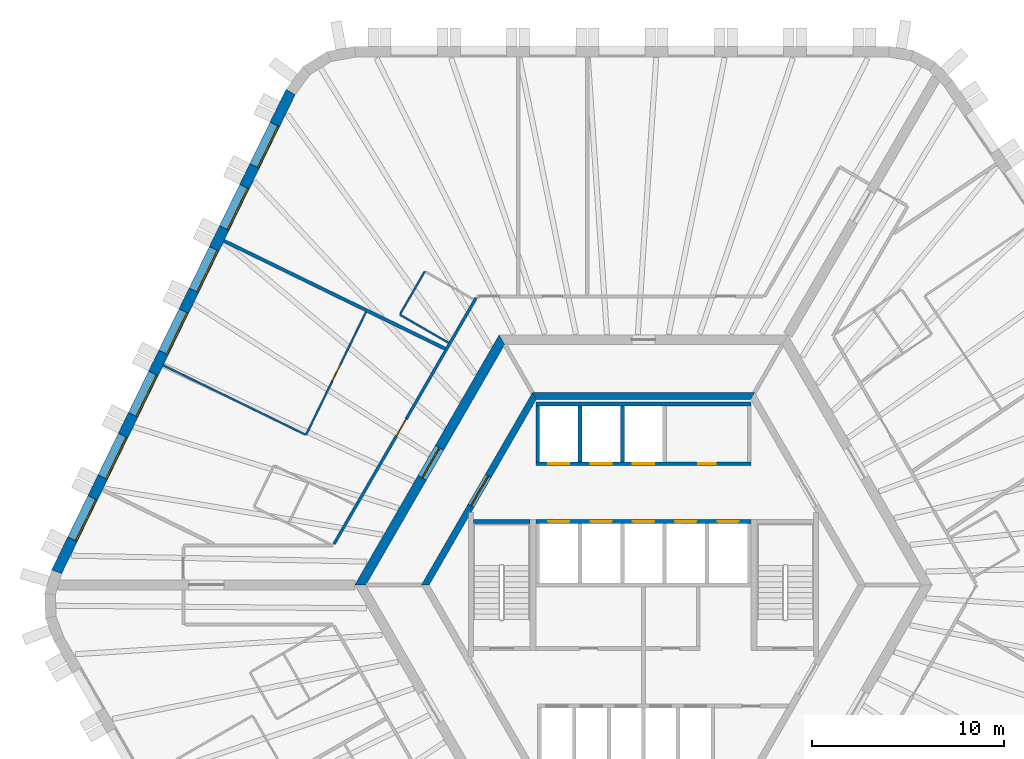
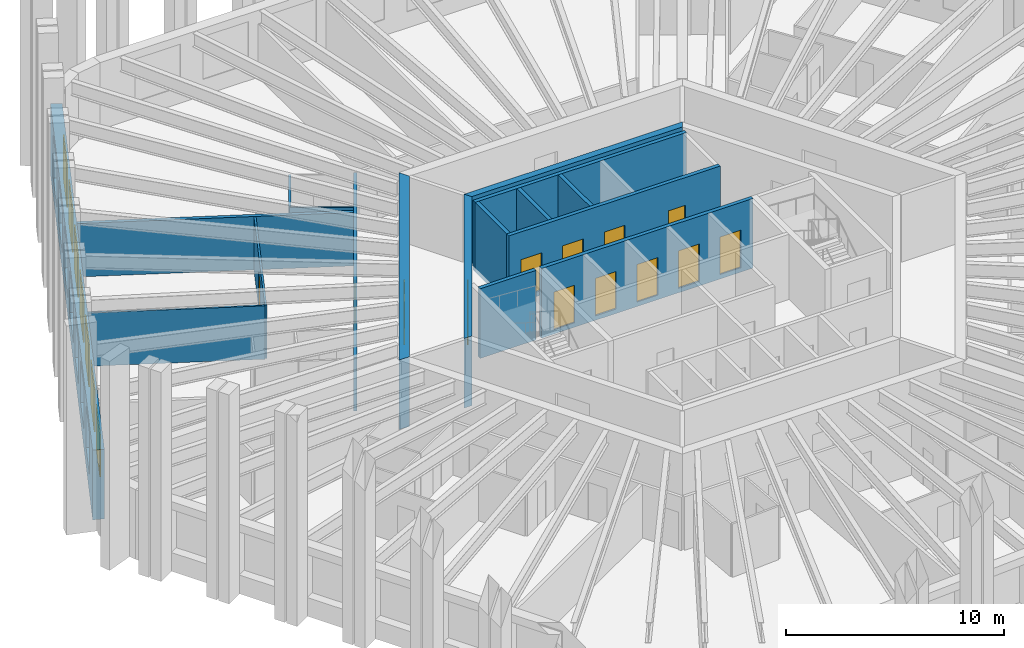
# One storey, part 7 of 10: 17 walls, 13 doors, 7 windows, 20 openings.
"""IFC4 building model written with IfcOpenShell, lengths in metres."""

import ifcopenshell
import ifcopenshell.guid

model = None  # the IFC model being written
_history = None  # IfcOwnerHistory: only IFC2X3 demands one
_inside = {}  # id of a spatial element -> (the spatial element, [elements in it])
_under = {}  # id of a project, library or spatial element -> (it, [spatial elements below it])
_declared = {}  # id of a project -> (the project, [libraries it declares])
_typed = {}  # id of a type object -> (the type object, [elements of that type])
_made_of = {}  # id of a material, layer set ... -> (it, [elements and type objects made of it])


def new_model(schema):
    """Start an empty IFC model of exactly this schema.

    Asked for "IFC4X3", IfcOpenShell would pick the latest addendum, in which some entities
    have other attributes; the version numbers below select the first issue.
    IFC2X3 requires an IfcOwnerHistory on every rooted entity: one is made here for all.
    """
    global model, _history
    if schema == "IFC4X3":
        model = ifcopenshell.file(schema_version=(4, 3, 0, 0))
    else:
        model = ifcopenshell.file(schema=schema)
    _inside.clear()
    _under.clear()
    _declared.clear()
    _typed.clear()
    _made_of.clear()
    _history = None
    if model.schema == "IFC2X3":
        org = make("IfcOrganization", Name="unknown")
        user = make(
            "IfcPersonAndOrganization",
            ThePerson=make("IfcPerson", FamilyName="unknown"),
            TheOrganization=org,
        )
        app = make(
            "IfcApplication",
            ApplicationDeveloper=org,
            Version="unknown",
            ApplicationFullName="unknown",
            ApplicationIdentifier="unknown",
        )
        _history = make(
            "IfcOwnerHistory",
            OwningUser=user,
            OwningApplication=app,
            ChangeAction="ADDED",
            CreationDate=0,
        )
    return model


def make(cls, **values):
    """One entity of the class cls with the attributes given. An attribute that is None is left unset."""
    return model.create_entity(
        cls, **{name: value for name, value in values.items() if value is not None}
    )


def rooted(cls, **values):
    """An entity with a GlobalId (a new one), such as an element, a storey or a relation."""
    return make(cls, GlobalId=ifcopenshell.guid.new(), OwnerHistory=_history, **values)


def si_unit(unit_type, name, prefix=None):
    """IfcSIUnit, for example si_unit("LENGTHUNIT", "METRE", prefix="MILLI")."""
    return make("IfcSIUnit", UnitType=unit_type, Prefix=prefix, Name=name)


def assignment(units):
    """IfcUnitAssignment: the units of a project."""
    return None if units is None else make("IfcUnitAssignment", Units=units)


def point(xyz):
    """IfcCartesianPoint."""
    return None if xyz is None else make("IfcCartesianPoint", Coordinates=xyz)


def direction(xyz):
    """IfcDirection."""
    return None if xyz is None else make("IfcDirection", DirectionRatios=xyz)


def frame(location, z_axis=None, x_axis=None):
    """IfcAxis2Placement3D, a coordinate frame: its origin and axes. An axis left out is left unset."""
    return make(
        "IfcAxis2Placement3D",
        Location=point(location),
        Axis=direction(z_axis),
        RefDirection=direction(x_axis),
    )


def frame_2d(location, x_axis=None):
    """IfcAxis2Placement2D, a coordinate frame in the plane: its origin and x axis."""
    return make(
        "IfcAxis2Placement2D", Location=point(location), RefDirection=direction(x_axis)
    )


def origin():
    """The frame at (0, 0, 0) with its axes left unset."""
    return frame((0.0, 0.0, 0.0))


def place(relative_to, where):
    """IfcLocalPlacement: puts the frame where relative to a parent placement (None: the world)."""
    return make(
        "IfcLocalPlacement", PlacementRelTo=relative_to, RelativePlacement=where
    )


def context(
    kind, dimensions, precision=None, world=None, true_north=None, identifier=None
):
    """IfcGeometricRepresentationContext, for example the 3D "Model" context."""
    return make(
        "IfcGeometricRepresentationContext",
        ContextIdentifier=identifier,
        ContextType=kind,
        CoordinateSpaceDimension=dimensions,
        Precision=precision,
        WorldCoordinateSystem=world,
        TrueNorth=true_north,
    )


def subcontext(parent, identifier, kind, view, scale=None):
    """IfcGeometricRepresentationSubContext, for example "Body" below "Model"."""
    return make(
        "IfcGeometricRepresentationSubContext",
        ContextIdentifier=identifier,
        ContextType=kind,
        ParentContext=parent,
        TargetScale=scale,
        TargetView=view,
    )


def project(units=None, contexts=None):
    """IfcProject with its units and contexts."""
    return rooted(
        "IfcProject",
        Name="project",
        RepresentationContexts=contexts,
        UnitsInContext=assignment(units),
    )


def spatial(cls, under=None, at=None, **own):
    """A site, building, storey or space (cls), placed at a placement, below another one or the project."""
    s = rooted(cls, ObjectPlacement=at, **own)
    if under is not None:
        _under.setdefault(under.id(), (under, []))[1].append(s)
    return s


def polyline(points):
    """IfcPolyline through the points."""
    return make("IfcPolyline", Points=[point(p) for p in points])


def profile(cls, at=None, kind="AREA", **sizes):
    """A parametric profile (cls). Its sizes go by their IFC names, for example OverallWidth=200.0."""
    return make(cls, ProfileType=kind, Position=at, **sizes)


def rectangle(**sizes):
    """IfcRectangleProfileDef."""
    return profile("IfcRectangleProfileDef", **sizes)


def outline(outer, holes=None, kind="AREA"):
    """IfcArbitraryClosedProfileDef: a profile drawn as a closed curve; with holes, ...WithVoids."""
    if holes is None:
        return make("IfcArbitraryClosedProfileDef", ProfileType=kind, OuterCurve=outer)
    return make(
        "IfcArbitraryProfileDefWithVoids",
        ProfileType=kind,
        OuterCurve=outer,
        InnerCurves=holes,
    )


def extrude(swept, where, along, depth):
    """IfcExtrudedAreaSolid: the profile swept, set in the frame where, extruded along a direction by depth."""
    return make(
        "IfcExtrudedAreaSolid",
        SweptArea=swept,
        Position=where,
        ExtrudedDirection=direction(along),
        Depth=depth,
    )


def shape(context_of_items, identifier, shape_type, items):
    """IfcShapeRepresentation: the items that make up one representation, for example the "Body"."""
    return make(
        "IfcShapeRepresentation",
        ContextOfItems=context_of_items,
        RepresentationIdentifier=identifier,
        RepresentationType=shape_type,
        Items=items,
    )


def material(Name=None, Category=None):
    """IfcMaterial."""
    return make("IfcMaterial", Name=Name, Category=Category)


def layer(
    of_material, thickness, ventilated=None, Name=None, Category=None, Priority=None
):
    """IfcMaterialLayer: one layer of a wall or slab, of a material (None: an air gap)."""
    return make(
        "IfcMaterialLayer",
        Material=of_material,
        LayerThickness=thickness,
        IsVentilated=ventilated,
        Name=Name,
        Category=Category,
        Priority=Priority,
    )


def layer_set(layers, Name=None):
    """IfcMaterialLayerSet."""
    return make("IfcMaterialLayerSet", MaterialLayers=layers, LayerSetName=Name)


def made_of(thing, what):
    """Note that an element or type object is made of a material, layer set ...; save() writes the relation."""
    if what is not None:
        _made_of.setdefault(what.id(), (what, []))[1].append(thing)
    return thing


def type_object(cls, material=None, **own):
    """A type object (cls), such as IfcWallType, which elements share."""
    return made_of(rooted(cls, **own), material)


def element(
    cls,
    number,
    at=None,
    inside=None,
    cuts=None,
    type_object=None,
    material=None,
    context=None,
    identifier="Body",
    shape_type=None,
    held_by="IfcProductDefinitionShape",
    body=None,
    shapes=None,
    **own,
):
    """One element of the class cls, such as IfcWall. Its Tag is "e" and its number.

    at: its placement. inside: the storey or other place that contains it. cuts: it is an
    opening in that element (IfcRelVoidsElement). A single representation is given by context,
    identifier, shape_type and body (its items); several are given by shapes. held_by: the class
    of the entity that holds the representations. save() writes the other relations.
    """
    e = rooted(cls, Tag="e%d" % number, ObjectPlacement=at, **own)
    if body is not None:
        shapes = [shape(context, identifier, shape_type, body)]
    if shapes is not None:
        e.Representation = make(held_by, Representations=shapes)
    if inside is not None:
        _inside.setdefault(inside.id(), (inside, []))[1].append(e)
    if cuts is not None:
        rooted(
            "IfcRelVoidsElement", RelatingBuildingElement=cuts, RelatedOpeningElement=e
        )
    if type_object is not None:
        _typed.setdefault(type_object.id(), (type_object, []))[1].append(e)
    return made_of(e, material)


def fill(opening, filler):
    """IfcRelFillsElement: the door or window that sits in an opening."""
    return rooted(
        "IfcRelFillsElement",
        RelatingOpeningElement=opening,
        RelatedBuildingElement=filler,
    )


def aggregate(whole, parts):
    """IfcRelAggregates: a whole, such as a stair, and the parts it consists of."""
    return rooted("IfcRelAggregates", RelatingObject=whole, RelatedObjects=parts)


def save(model, path):
    """Write the relations noted so far, then the file.

    IfcRelAggregates (storeys below a building ...), IfcRelContainedInSpatialStructure (elements
    in a storey), IfcRelDefinesByType, IfcRelAssociatesMaterial and IfcRelDeclares: one each for
    every whole, place, type object, material and project.
    """
    for whole, parts in _under.values():
        aggregate(whole, parts)
    for where, things in _inside.values():
        rooted(
            "IfcRelContainedInSpatialStructure",
            RelatedElements=things,
            RelatingStructure=where,
        )
    for kind, things in _typed.values():
        rooted("IfcRelDefinesByType", RelatedObjects=things, RelatingType=kind)
    for what, things in _made_of.values():
        rooted("IfcRelAssociatesMaterial", RelatedObjects=things, RelatingMaterial=what)
    for by, libraries in _declared.values():
        rooted("IfcRelDeclares", RelatingContext=by, RelatedDefinitions=libraries)
    model.write(path)


model = new_model("IFC4")

# Units and contexts
model_context = context("Model", 3, precision=1e-05, world=origin(), true_north=direction((0.0, 1.0)))
body_context = subcontext(model_context, "Body", "Model", "MODEL_VIEW")
ifc_project = project(units=[si_unit("LENGTHUNIT", "METRE"), si_unit("AREAUNIT", "SQUARE_METRE"), si_unit("VOLUMEUNIT", "CUBIC_METRE"), si_unit("PLANEANGLEUNIT", "RADIAN"), si_unit("MASSUNIT", "GRAM", prefix="KILO")], contexts=[model_context])

# Site, building, storey
site_placement = place(None, origin())
site = spatial("IfcSite", under=ifc_project, at=site_placement, CompositionType="ELEMENT")
building_placement = place(site_placement, origin())
building = spatial("IfcBuilding", under=site, at=building_placement, Name="Tarnside Tower", CompositionType="ELEMENT")
storey_placement = place(building_placement, frame((0.0, 0.0, 164.39990234375)))
storey = spatial("IfcBuildingStorey", under=building, at=storey_placement, Name="L38", CompositionType="ELEMENT", Elevation=164.39990234375)

# Walls
ifc_material_1 = material(Name="Gypsum board partition on steel studs", Category="steel")
ifc_layer_1 = layer(ifc_material_1, 0.10009765625)
ifc_layer_set_1 = layer_set([ifc_layer_1], Name="Bathroom wall 100")
wall_type_1 = type_object("IfcWallType", Name="Bathroom wall 100", PredefinedType="PARTITIONING", material=ifc_layer_set_1)
wall_1_placement = place(storey_placement, frame((-10.137939453125, 12.5908203125, 0.0), z_axis=(0.0, 0.0, 1.0), x_axis=(-0.866025730634, 0.499999433879, 0.0)))
element("IfcWall", 1, at=wall_1_placement, inside=storey, type_object=wall_type_1, Name="Bathroom wall 12047", PredefinedType="PARTITIONING", context=body_context, shape_type="SweptSolid", body=[
    extrude(rectangle(XDim=2.9248046875, YDim=0.10009765625, at=frame_2d((1.46240234375, 0.0))), origin(), (0.0, 0.0, 1.0), 2.98779296875),
])
wall_2_placement = place(storey_placement, frame((-12.64599609375, 14.096435546875, 0.0), z_axis=(0.0, 0.0, 1.0), x_axis=(0.500020783669, 0.866013403995, 0.0)))
element("IfcWall", 2, at=wall_2_placement, inside=storey, type_object=wall_type_1, Name="Bathroom wall 12048", PredefinedType="PARTITIONING", context=body_context, shape_type="SweptSolid", body=[
    extrude(rectangle(XDim=2.55029296875, YDim=0.10009765625, at=frame_2d((1.275146484375, 0.0))), origin(), (0.0, 0.0, 1.0), 2.98779296875),
])

# Wall, opening, door
ifc_material_2 = material(Name="Concrete C50/60", Category="concrete")
ifc_layer_2 = layer(ifc_material_2, 0.35009765625)
ifc_layer_set_2 = layer_set([ifc_layer_2], Name="Core block wall 350 C50/60")
wall_type_2 = type_object("IfcWallType", Name="Core block wall 350 C50/60", PredefinedType="SHEAR", material=ifc_layer_set_2)
wall_3_placement = place(storey_placement, frame((-5.672607421875, 9.824951171875, -0.14990234375), z_axis=(0.0, 0.0, 1.0), x_axis=(-0.499995046907, -0.866028263435, 0.0)))
wall_3 = element("IfcWall", 3, at=wall_3_placement, inside=storey, type_object=wall_type_2, Name="L38 core block wall face 2", PredefinedType="SHEAR", context=body_context, shape_type="SweptSolid", body=[
    extrude(outline(polyline([(-0.10107421875, -0.175048828125), (11.44580078125, -0.175048828125), (11.24365234375, 0.175048828125), (0.10107421875, 0.175048828125), (-0.10107421875, -0.175048828125)])), origin(), (0.0, 0.0, 1.0), 3.89990234375),
])
opening_1_placement = place(wall_3_placement, frame((4.80126953125, 0.0, 0.14990234375)))
opening_1 = element("IfcOpeningElement", 4, at=opening_1_placement, cuts=wall_3, Name="Opening CD-LOB", PredefinedType="OPENING", context=body_context, shape_type="SweptSolid", body=[
    extrude(rectangle(XDim=1.800048828125, YDim=2.39990234375, at=frame_2d((0.89990234375, 1.199951171875))), frame((0.0, 0.18505859375, 0.0), z_axis=(0.0, -1.0, 0.0), x_axis=(1.0, 0.0, 0.0)), (0.0, 0.0, 1.0), 0.3701171875),
])
ifc_material_3 = material(Name="Steel fire door", Category="steel")
door_type_1 = type_object("IfcDoorType", Name="Lobby double door FD30S 1800x2400", OperationType="NOTDEFINED", PredefinedType="DOOR", material=ifc_material_3)
door_1_placement = place(opening_1_placement, origin())
door_1 = element("IfcDoor", 5, at=door_1_placement, inside=storey, type_object=door_type_1, Name="L38 lobby block door P1", OperationType="DOUBLE_DOOR_SINGLE_SWING", OverallHeight=2.39990234375, OverallWidth=1.800048828125, PredefinedType="DOOR", context=body_context, shape_type="SweptSolid", body=[
    extrude(rectangle(XDim=1.800048828125, YDim=2.39990234375, at=frame_2d((0.89990234375, 1.199951171875))), frame((0.0, 0.02490234375, 0.0), z_axis=(0.0, -1.0, 0.0), x_axis=(1.0, 0.0, 0.0)), (0.0, 0.0, 1.0), 0.050048828125),
])
fill(opening_1, door_1)

# Wall
wall_4_placement = place(storey_placement, frame((5.672607421875, 9.824951171875, -0.14990234375), z_axis=(0.0, 0.0, 1.0), x_axis=(-1.0, 0.0, 0.0)))
element("IfcWall", 6, at=wall_4_placement, inside=storey, type_object=wall_type_2, Name="L38 core block wall face 1", PredefinedType="SHEAR", context=body_context, shape_type="SweptSolid", body=[
    extrude(outline(polyline([(-0.10107421875, -0.175048828125), (11.4462890625, -0.175048828125), (11.244140625, 0.175048828125), (0.10107421875, 0.175048828125), (-0.10107421875, -0.175048828125)])), origin(), (0.0, 0.0, 1.0), 3.89990234375),
])

# Wall, opening, door
ifc_material_4 = material(Name="Concrete C70/85", Category="concrete")
ifc_layer_3 = layer(ifc_material_4, 0.5)
ifc_layer_set_3 = layer_set([ifc_layer_3], Name="Core wall Z2 500 C70/85")
wall_type_3 = type_object("IfcWallType", Name="Core wall Z2 500 C70/85", PredefinedType="SHEAR", material=ifc_layer_set_3)
wall_5_placement = place(storey_placement, frame((-7.361083984375, 12.75, -0.14990234375), z_axis=(0.0, 0.0, 1.0), x_axis=(-0.50000571537, -0.866022103989, 0.0)))
wall_5 = element("IfcWall", 7, at=wall_5_placement, inside=storey, type_object=wall_type_3, Name="L38 core wall face 2", PredefinedType="SHEAR", context=body_context, shape_type="SweptSolid", body=[
    extrude(outline(polyline([(-0.144287109375, -0.25), (14.86669921875, -0.25), (14.578125, 0.25), (0.144287109375, 0.25), (-0.144287109375, -0.25)])), origin(), (0.0, 0.0, 1.0), 3.89990234375),
])
opening_2_placement = place(wall_5_placement, frame((6.489990234375, 0.0, 0.14990234375)))
opening_2 = element("IfcOpeningElement", 8, at=opening_2_placement, cuts=wall_5, Name="Opening CD-LOB", PredefinedType="OPENING", context=body_context, shape_type="SweptSolid", body=[
    extrude(rectangle(XDim=1.800048828125, YDim=2.39990234375, at=frame_2d((0.89990234375, 1.199951171875))), frame((0.0, 0.260009765625, 0.0), z_axis=(0.0, -1.0, 0.0), x_axis=(1.0, 0.0, 0.0)), (0.0, 0.0, 1.0), 0.52001953125),
])
door_2_placement = place(opening_2_placement, origin())
door_2 = element("IfcDoor", 9, at=door_2_placement, inside=storey, type_object=door_type_1, Name="L38 core door P1", OperationType="DOUBLE_DOOR_SINGLE_SWING", OverallHeight=2.39990234375, OverallWidth=1.800048828125, PredefinedType="DOOR", context=body_context, shape_type="SweptSolid", body=[
    extrude(rectangle(XDim=1.800048828125, YDim=2.39990234375, at=frame_2d((0.89990234375, 1.199951171875))), frame((0.0, 0.02490234375, 0.0), z_axis=(0.0, -1.0, 0.0), x_axis=(1.0, 0.0, 0.0)), (0.0, 0.0, 1.0), 0.050048828125),
])
fill(opening_2, door_2)

ifc_layer_4 = layer(ifc_material_1, 0.14990234375)
ifc_layer_set_4 = layer_set([ifc_layer_4], Name="Corridor wall 150 EI 60")
wall_type_4 = type_object("IfcWallType", Name="Corridor wall 150 EI 60", PredefinedType="PARTITIONING", material=ifc_layer_set_4)
wall_6_placement = place(storey_placement, frame((-8.70361328125, 14.925048828125, 0.0), z_axis=(0.0, 0.0, 1.0), x_axis=(-0.499988884089, -0.866031821464, 0.0)))
wall_6 = element("IfcWall", 10, at=wall_6_placement, inside=storey, type_object=wall_type_4, Name="Corridor wall 12005", PredefinedType="PARTITIONING", context=body_context, shape_type="SweptSolid", body=[
    extrude(rectangle(XDim=14.780029296875, YDim=0.14990234375, at=frame_2d((7.39013671875, 0.0))), origin(), (0.0, 0.0, 1.0), 2.98779296875),
])
opening_3_placement = place(wall_6_placement, frame((7.28076171875, 0.0, 0.0)))
opening_3 = element("IfcOpeningElement", 11, at=opening_3_placement, cuts=wall_6, Name="Opening D-E1", PredefinedType="OPENING", context=body_context, shape_type="SweptSolid", body=[
    extrude(rectangle(XDim=1.0, YDim=2.10009765625, at=frame_2d((0.5, 1.050048828125))), frame((0.0, 0.0849609375, 0.0), z_axis=(0.0, -1.0, 0.0), x_axis=(1.0, 0.0, 0.0)), (0.0, 0.0, 1.0), 0.169921875),
])
ifc_material_5 = material(Name="Timber door leaf", Category="wood")
door_type_2 = type_object("IfcDoorType", Name="Unit entrance door 1000 FD30S", OperationType="NOTDEFINED", PredefinedType="DOOR", material=ifc_material_5)
door_3_placement = place(opening_3_placement, origin())
door_3 = element("IfcDoor", 12, at=door_3_placement, inside=storey, type_object=door_type_2, Name="Unit door 12005", OperationType="SINGLE_SWING_RIGHT", OverallHeight=2.10009765625, OverallWidth=1.0, PredefinedType="DOOR", context=body_context, shape_type="SweptSolid", body=[
    extrude(rectangle(XDim=1.0, YDim=2.10009765625, at=frame_2d((0.5, 1.050048828125))), frame((0.0, 0.02490234375, 0.0), z_axis=(0.0, -1.0, 0.0), x_axis=(1.0, 0.0, 0.0)), (0.0, 0.0, 1.0), 0.050048828125),
])
fill(opening_3, door_3)

# Wall
ifc_layer_5 = layer(ifc_material_1, 0.179931640625)
ifc_layer_set_5 = layer_set([ifc_layer_5], Name="Demising wall 180 EI 60")
wall_type_5 = type_object("IfcWallType", Name="Demising wall 180 EI 60", PredefinedType="PARTITIONING", material=ifc_layer_set_5)
wall_7_placement = place(storey_placement, frame((-21.814697265625, 17.8916015625, 0.0), z_axis=(0.0, 0.0, 1.0), x_axis=(0.898799253997, -0.438360469265, 0.0)))
element("IfcWall", 13, at=wall_7_placement, inside=storey, type_object=wall_type_5, Name="Demising wall 12050", PredefinedType="PARTITIONING", context=body_context, shape_type="SweptSolid", body=[
    extrude(rectangle(XDim=12.7939453125, YDim=0.179931640625, at=frame_2d((6.39697265625, 0.0))), origin(), (0.0, 0.0, 1.0), 2.98779296875),
])

# Wall, openings, doors
ifc_material_6 = material(Name="Concrete C40/50", Category="concrete")
ifc_layer_6 = layer(ifc_material_6, 0.199951171875)
ifc_layer_set_6 = layer_set([ifc_layer_6], Name="Lift shaft wall 200 C40/50")
wall_type_6 = type_object("IfcWallType", Name="Lift shaft wall 200 C40/50", PredefinedType="SHEAR", material=ifc_layer_set_6)
wall_8_placement = place(storey_placement, frame((-5.60009765625, 6.300048828125, -0.25), z_axis=(0.0, 0.0, 1.0), x_axis=(1.0, 0.0, 0.0)))
wall_8 = element("IfcWall", 14, at=wall_8_placement, inside=storey, type_object=wall_type_6, Name="L38 lift shaft front wall R1", PredefinedType="SHEAR", context=body_context, shape_type="SweptSolid", body=[
    extrude(rectangle(XDim=11.2001953125, YDim=0.199951171875, at=frame_2d((5.60009765625, 0.0))), origin(), (0.0, 0.0, 1.0), 3.900146484375),
])
opening_4_placement = place(wall_8_placement, frame((8.449951171875, 0.0, 0.25)))
opening_4 = element("IfcOpeningElement", 15, at=opening_4_placement, cuts=wall_8, Name="Opening CD-room", PredefinedType="OPENING", context=body_context, shape_type="SweptSolid", body=[
    extrude(rectangle(XDim=0.89990234375, YDim=2.10009765625, at=frame_2d((0.449951171875, 1.050048828125))), frame((0.0, 0.10986328125, 0.0), z_axis=(0.0, -1.0, 0.0), x_axis=(1.0, 0.0, 0.0)), (0.0, 0.0, 1.0), 0.219970703125),
])
opening_5_placement = place(wall_8_placement, frame((0.64990234375, 0.0, 0.25)))
opening_5 = element("IfcOpeningElement", 16, at=opening_5_placement, cuts=wall_8, Name="Opening LD", PredefinedType="OPENING", context=body_context, shape_type="SweptSolid", body=[
    extrude(rectangle(XDim=1.10009765625, YDim=2.10009765625, at=frame_2d((0.550048828125, 1.050048828125))), frame((0.0, 0.10986328125, 0.0), z_axis=(0.0, -1.0, 0.0), x_axis=(1.0, 0.0, 0.0)), (0.0, 0.0, 1.0), 0.219970703125),
])
opening_6_placement = place(wall_8_placement, frame((2.85009765625, 0.0, 0.25)))
opening_6 = element("IfcOpeningElement", 17, at=opening_6_placement, cuts=wall_8, Name="Opening LD", PredefinedType="OPENING", context=body_context, shape_type="SweptSolid", body=[
    extrude(rectangle(XDim=1.10009765625, YDim=2.10009765625, at=frame_2d((0.550048828125, 1.050048828125))), frame((0.0, 0.10986328125, 0.0), z_axis=(0.0, -1.0, 0.0), x_axis=(1.0, 0.0, 0.0)), (0.0, 0.0, 1.0), 0.219970703125),
])
opening_7_placement = place(wall_8_placement, frame((5.050048828125, 0.0, 0.25)))
opening_7 = element("IfcOpeningElement", 18, at=opening_7_placement, cuts=wall_8, Name="Opening LD", PredefinedType="OPENING", context=body_context, shape_type="SweptSolid", body=[
    extrude(rectangle(XDim=1.10009765625, YDim=2.10009765625, at=frame_2d((0.550048828125, 1.050048828125))), frame((0.0, 0.10986328125, 0.0), z_axis=(0.0, -1.0, 0.0), x_axis=(1.0, 0.0, 0.0)), (0.0, 0.0, 1.0), 0.219970703125),
])
ifc_material_7 = material(Name="Stainless steel", Category="steel")
door_type_3 = type_object("IfcDoorType", Name="Lift landing door 1100x2100", OperationType="NOTDEFINED", PredefinedType="DOOR", material=ifc_material_7)
door_4_placement = place(opening_5_placement, origin())
door_4 = element("IfcDoor", 19, at=door_4_placement, inside=storey, type_object=door_type_3, Name="Mid-rise lift 1 landing door L38", OperationType="SLIDING_TO_LEFT", OverallHeight=2.10009765625, OverallWidth=1.10009765625, PredefinedType="DOOR", context=body_context, shape_type="SweptSolid", body=[
    extrude(rectangle(XDim=1.10009765625, YDim=2.10009765625, at=frame_2d((0.550048828125, 1.050048828125))), frame((0.0, 0.02490234375, 0.0), z_axis=(0.0, -1.0, 0.0), x_axis=(1.0, 0.0, 0.0)), (0.0, 0.0, 1.0), 0.050048828125),
])
fill(opening_5, door_4)
door_5_placement = place(opening_6_placement, origin())
door_5 = element("IfcDoor", 20, at=door_5_placement, inside=storey, type_object=door_type_3, Name="Mid-rise lift 2 landing door L38", OperationType="SLIDING_TO_LEFT", OverallHeight=2.10009765625, OverallWidth=1.10009765625, PredefinedType="DOOR", context=body_context, shape_type="SweptSolid", body=[
    extrude(rectangle(XDim=1.10009765625, YDim=2.10009765625, at=frame_2d((0.550048828125, 1.050048828125))), frame((0.0, 0.02490234375, 0.0), z_axis=(0.0, -1.0, 0.0), x_axis=(1.0, 0.0, 0.0)), (0.0, 0.0, 1.0), 0.050048828125),
])
fill(opening_6, door_5)
door_6_placement = place(opening_7_placement, origin())
door_6 = element("IfcDoor", 21, at=door_6_placement, inside=storey, type_object=door_type_3, Name="Mid-rise lift 3 landing door L38", OperationType="SLIDING_TO_LEFT", OverallHeight=2.10009765625, OverallWidth=1.10009765625, PredefinedType="DOOR", context=body_context, shape_type="SweptSolid", body=[
    extrude(rectangle(XDim=1.10009765625, YDim=2.10009765625, at=frame_2d((0.550048828125, 1.050048828125))), frame((0.0, 0.02490234375, 0.0), z_axis=(0.0, -1.0, 0.0), x_axis=(1.0, 0.0, 0.0)), (0.0, 0.0, 1.0), 0.050048828125),
])
fill(opening_7, door_6)
door_type_4 = type_object("IfcDoorType", Name="Room door FD60 900x2100", OperationType="NOTDEFINED", PredefinedType="DOOR", material=ifc_material_3)
door_7_placement = place(opening_4_placement, origin())
door_7 = element("IfcDoor", 22, at=door_7_placement, inside=storey, type_object=door_type_4, Name="L38 core room door FC1", OperationType="SINGLE_SWING_LEFT", OverallHeight=2.10009765625, OverallWidth=0.89990234375, PredefinedType="DOOR", context=body_context, shape_type="SweptSolid", body=[
    extrude(rectangle(XDim=0.89990234375, YDim=2.10009765625, at=frame_2d((0.449951171875, 1.050048828125))), frame((0.0, 0.02490234375, 0.0), z_axis=(0.0, -1.0, 0.0), x_axis=(1.0, 0.0, 0.0)), (0.0, 0.0, 1.0), 0.050048828125),
])
fill(opening_4, door_7)

# Walls
wall_9_placement = place(storey_placement, frame((-5.60009765625, 9.39990234375, -0.25), z_axis=(0.0, 0.0, 1.0), x_axis=(1.0, 0.0, 0.0)))
element("IfcWall", 23, at=wall_9_placement, inside=storey, type_object=wall_type_6, Name="L38 lift shaft back wall R1", PredefinedType="SHEAR", context=body_context, shape_type="SweptSolid", body=[
    extrude(rectangle(XDim=11.2001953125, YDim=0.199951171875, at=frame_2d((5.60009765625, 0.0))), origin(), (0.0, 0.0, 1.0), 3.900146484375),
])
for number, where, z_axis, x_axis, name in (
    (24, (-5.5, 6.39990234375, -0.25), (0.0, 0.0, 1.0), (0.0, 1.0, 0.0), "L38 lift shaft partition R11"),
    (25, (-3.300048828125, 6.39990234375, -0.25), (0.0, 0.0, 1.0), (0.0, 1.0, 0.0), "L38 lift shaft partition R12"),
    (26, (-1.10009765625, 6.39990234375, -0.25), (0.0, 0.0, 1.0), (0.0, 1.0, 0.0), "L38 lift shaft partition R13"),
):
    element("IfcWall", number, at=place(storey_placement, frame(where, z_axis=z_axis, x_axis=x_axis)), inside=storey, type_object=wall_type_6, Name=name, PredefinedType="SHEAR", context=body_context, shape_type="SweptSolid", body=[
        extrude(rectangle(XDim=2.900146484375, YDim=0.199951171875, at=frame_2d((1.4501953125, 0.0))), origin(), (0.0, 0.0, 1.0), 3.900146484375),
    ])

# Wall, openings, doors
wall_10_placement = place(storey_placement, frame((-5.60009765625, 3.300048828125, -0.25), z_axis=(0.0, 0.0, 1.0), x_axis=(1.0, 0.0, 0.0)))
wall_10 = element("IfcWall", 27, at=wall_10_placement, inside=storey, type_object=wall_type_6, Name="L38 lift shaft front wall R2", PredefinedType="SHEAR", context=body_context, shape_type="SweptSolid", body=[
    extrude(rectangle(XDim=11.2001953125, YDim=0.199951171875, at=frame_2d((5.60009765625, 0.0))), origin(), (0.0, 0.0, 1.0), 3.900146484375),
])
opening_8_placement = place(wall_10_placement, frame((0.64990234375, 0.0, 0.25)))
opening_8 = element("IfcOpeningElement", 28, at=opening_8_placement, cuts=wall_10, Name="Opening LD", PredefinedType="OPENING", context=body_context, shape_type="SweptSolid", body=[
    extrude(rectangle(XDim=1.10009765625, YDim=2.10009765625, at=frame_2d((0.550048828125, 1.050048828125))), frame((0.0, 0.10986328125, 0.0), z_axis=(0.0, -1.0, 0.0), x_axis=(1.0, 0.0, 0.0)), (0.0, 0.0, 1.0), 0.219970703125),
])
opening_9_placement = place(wall_10_placement, frame((2.85009765625, 0.0, 0.25)))
opening_9 = element("IfcOpeningElement", 29, at=opening_9_placement, cuts=wall_10, Name="Opening LD", PredefinedType="OPENING", context=body_context, shape_type="SweptSolid", body=[
    extrude(rectangle(XDim=1.10009765625, YDim=2.10009765625, at=frame_2d((0.550048828125, 1.050048828125))), frame((0.0, 0.10986328125, 0.0), z_axis=(0.0, -1.0, 0.0), x_axis=(1.0, 0.0, 0.0)), (0.0, 0.0, 1.0), 0.219970703125),
])
opening_10_placement = place(wall_10_placement, frame((5.050048828125, 0.0, 0.25)))
opening_10 = element("IfcOpeningElement", 30, at=opening_10_placement, cuts=wall_10, Name="Opening LD", PredefinedType="OPENING", context=body_context, shape_type="SweptSolid", body=[
    extrude(rectangle(XDim=1.10009765625, YDim=2.10009765625, at=frame_2d((0.550048828125, 1.050048828125))), frame((0.0, 0.10986328125, 0.0), z_axis=(0.0, -1.0, 0.0), x_axis=(1.0, 0.0, 0.0)), (0.0, 0.0, 1.0), 0.219970703125),
])
opening_11_placement = place(wall_10_placement, frame((7.25, 0.0, 0.25)))
opening_11 = element("IfcOpeningElement", 31, at=opening_11_placement, cuts=wall_10, Name="Opening LD", PredefinedType="OPENING", context=body_context, shape_type="SweptSolid", body=[
    extrude(rectangle(XDim=1.10009765625, YDim=2.10009765625, at=frame_2d((0.550048828125, 1.050048828125))), frame((0.0, 0.10986328125, 0.0), z_axis=(0.0, -1.0, 0.0), x_axis=(1.0, 0.0, 0.0)), (0.0, 0.0, 1.0), 0.219970703125),
])
opening_12_placement = place(wall_10_placement, frame((9.449951171875, 0.0, 0.25)))
opening_12 = element("IfcOpeningElement", 32, at=opening_12_placement, cuts=wall_10, Name="Opening LD", PredefinedType="OPENING", context=body_context, shape_type="SweptSolid", body=[
    extrude(rectangle(XDim=1.10009765625, YDim=2.10009765625, at=frame_2d((0.550048828125, 1.050048828125))), frame((0.0, 0.10986328125, 0.0), z_axis=(0.0, -1.0, 0.0), x_axis=(1.0, 0.0, 0.0)), (0.0, 0.0, 1.0), 0.219970703125),
])
door_8_placement = place(opening_8_placement, origin())
door_8 = element("IfcDoor", 33, at=door_8_placement, inside=storey, type_object=door_type_3, Name="Mid-rise lift 4 landing door L38", OperationType="SLIDING_TO_LEFT", OverallHeight=2.10009765625, OverallWidth=1.10009765625, PredefinedType="DOOR", context=body_context, shape_type="SweptSolid", body=[
    extrude(rectangle(XDim=1.10009765625, YDim=2.10009765625, at=frame_2d((0.550048828125, 1.050048828125))), frame((0.0, 0.02490234375, 0.0), z_axis=(0.0, -1.0, 0.0), x_axis=(1.0, 0.0, 0.0)), (0.0, 0.0, 1.0), 0.050048828125),
])
fill(opening_8, door_8)
door_9_placement = place(opening_9_placement, origin())
door_9 = element("IfcDoor", 34, at=door_9_placement, inside=storey, type_object=door_type_3, Name="Mid-rise lift 5 landing door L38", OperationType="SLIDING_TO_LEFT", OverallHeight=2.10009765625, OverallWidth=1.10009765625, PredefinedType="DOOR", context=body_context, shape_type="SweptSolid", body=[
    extrude(rectangle(XDim=1.10009765625, YDim=2.10009765625, at=frame_2d((0.550048828125, 1.050048828125))), frame((0.0, 0.02490234375, 0.0), z_axis=(0.0, -1.0, 0.0), x_axis=(1.0, 0.0, 0.0)), (0.0, 0.0, 1.0), 0.050048828125),
])
fill(opening_9, door_9)
door_10_placement = place(opening_10_placement, origin())
door_10 = element("IfcDoor", 35, at=door_10_placement, inside=storey, type_object=door_type_3, Name="Mid-rise lift 6 landing door L38", OperationType="SLIDING_TO_LEFT", OverallHeight=2.10009765625, OverallWidth=1.10009765625, PredefinedType="DOOR", context=body_context, shape_type="SweptSolid", body=[
    extrude(rectangle(XDim=1.10009765625, YDim=2.10009765625, at=frame_2d((0.550048828125, 1.050048828125))), frame((0.0, 0.02490234375, 0.0), z_axis=(0.0, -1.0, 0.0), x_axis=(1.0, 0.0, 0.0)), (0.0, 0.0, 1.0), 0.050048828125),
])
fill(opening_10, door_10)
door_11_placement = place(opening_11_placement, origin())
door_11 = element("IfcDoor", 36, at=door_11_placement, inside=storey, type_object=door_type_3, Name="High sky-lobby shuttle 1 landing door L38", OperationType="SLIDING_TO_LEFT", OverallHeight=2.10009765625, OverallWidth=1.10009765625, PredefinedType="DOOR", context=body_context, shape_type="SweptSolid", body=[
    extrude(rectangle(XDim=1.10009765625, YDim=2.10009765625, at=frame_2d((0.550048828125, 1.050048828125))), frame((0.0, 0.02490234375, 0.0), z_axis=(0.0, -1.0, 0.0), x_axis=(1.0, 0.0, 0.0)), (0.0, 0.0, 1.0), 0.050048828125),
])
fill(opening_11, door_11)
door_12_placement = place(opening_12_placement, origin())
door_12 = element("IfcDoor", 37, at=door_12_placement, inside=storey, type_object=door_type_3, Name="Express sky-lobby shuttle 2 landing door L38", OperationType="SLIDING_TO_LEFT", OverallHeight=2.10009765625, OverallWidth=1.10009765625, PredefinedType="DOOR", context=body_context, shape_type="SweptSolid", body=[
    extrude(rectangle(XDim=1.10009765625, YDim=2.10009765625, at=frame_2d((0.550048828125, 1.050048828125))), frame((0.0, 0.02490234375, 0.0), z_axis=(0.0, -1.0, 0.0), x_axis=(1.0, 0.0, 0.0)), (0.0, 0.0, 1.0), 0.050048828125),
])
fill(opening_12, door_12)

# Wall
wall_11_placement = place(storey_placement, frame((-8.85009765625, 3.300048828125, -0.25), z_axis=(0.0, 0.0, 1.0), x_axis=(1.0, 0.0, 0.0)))
element("IfcWall", 38, at=wall_11_placement, inside=storey, type_object=wall_type_6, Name="L38 stair 2 enclosure cap wall n", PredefinedType="SHEAR", context=body_context, shape_type="SweptSolid", body=[
    extrude(rectangle(XDim=2.9501953125, YDim=0.199951171875, at=frame_2d((1.47509765625, 0.0))), origin(), (0.0, 0.0, 1.0), 3.900146484375),
])

# Wall, opening, door
ifc_layer_7 = layer(ifc_material_1, 0.10009765625)
ifc_layer_set_7 = layer_set([ifc_layer_7], Name="Partition 100")
wall_type_7 = type_object("IfcWallType", Name="Partition 100", PredefinedType="PARTITIONING", material=ifc_layer_set_7)
wall_12_placement = place(storey_placement, frame((-14.431396484375, 14.1904296875, 0.0), z_axis=(0.0, 0.0, 1.0), x_axis=(-0.438387776054, -0.898785935475, 0.0)))
wall_12 = element("IfcWall", 39, at=wall_12_placement, inside=storey, type_object=wall_type_7, Name="Partition wall 12057", PredefinedType="PARTITIONING", context=body_context, shape_type="SweptSolid", body=[
    extrude(rectangle(XDim=7.110107421875, YDim=0.10009765625, at=frame_2d((3.55517578125, 0.0))), origin(), (0.0, 0.0, 1.0), 2.98779296875),
])
opening_13_placement = place(wall_12_placement, frame((3.06005859375, 0.0, 0.0)))
opening_13 = element("IfcOpeningElement", 40, at=opening_13_placement, cuts=wall_12, Name="Opening D-I1", PredefinedType="OPENING", context=body_context, shape_type="SweptSolid", body=[
    extrude(rectangle(XDim=0.89990234375, YDim=2.10009765625, at=frame_2d((0.449951171875, 1.050048828125))), frame((0.0, 0.06005859375, 0.0), z_axis=(0.0, -1.0, 0.0), x_axis=(1.0, 0.0, 0.0)), (0.0, 0.0, 1.0), 0.1201171875),
])
door_type_5 = type_object("IfcDoorType", Name="Internal door 900", OperationType="NOTDEFINED", PredefinedType="DOOR", material=ifc_material_5)
door_13_placement = place(opening_13_placement, origin())
door_13 = element("IfcDoor", 41, at=door_13_placement, inside=storey, type_object=door_type_5, Name="Internal door 12008", OperationType="SINGLE_SWING_RIGHT", OverallHeight=2.10009765625, OverallWidth=0.89990234375, PredefinedType="DOOR", context=body_context, shape_type="SweptSolid", body=[
    extrude(rectangle(XDim=0.89990234375, YDim=2.10009765625, at=frame_2d((0.449951171875, 1.050048828125))), frame((0.0, 0.02490234375, 0.0), z_axis=(0.0, -1.0, 0.0), x_axis=(1.0, 0.0, 0.0)), (0.0, 0.0, 1.0), 0.050048828125),
])
fill(opening_13, door_13)

# Wall
wall_13_placement = place(storey_placement, frame((-17.59326171875, 7.822021484375, 0.0), z_axis=(0.0, 0.0, 1.0), x_axis=(-0.898803316846, 0.438352138842, 0.0)))
element("IfcWall", 42, at=wall_13_placement, inside=storey, type_object=wall_type_7, Name="Partition wall 12058", PredefinedType="PARTITIONING", context=body_context, shape_type="SweptSolid", body=[
    extrude(rectangle(XDim=8.208251953125, YDim=0.10009765625, at=frame_2d((4.10400390625, 0.0))), origin(), (0.0, 0.0, 1.0), 2.98779296875),
])

# Wall, openings, windows
ifc_material_8 = material(Name="Facing brick", Category="masonry")
ifc_layer_8 = layer(ifc_material_8, 0.10205078125)
ifc_material_9 = material(Name="Concrete C60/75 precast", Category="concrete")
ifc_layer_9 = layer(ifc_material_9, 0.347900390625)
ifc_material_10 = material(Name="Mineral wool insulation")
ifc_layer_10 = layer(ifc_material_10, 0.10009765625)
ifc_layer_set_8 = layer_set([ifc_layer_8, ifc_layer_9, ifc_layer_10], Name="Tube wall 550 brick faced")
wall_type_8 = type_object("IfcWallType", Name="Tube wall 550 brick faced", PredefinedType="SOLIDWALL", material=ifc_layer_set_8)
wall_14_placement = place(storey_placement, frame((-18.344970703125, 25.6328125, -0.14990234375), z_axis=(0.0, 0.0, 1.0), x_axis=(-0.43837181828, -0.898793718791, 0.0)))
wall_14 = element("IfcWall", 43, at=wall_14_placement, inside=storey, type_object=wall_type_8, Name="Tube wall L38 F2 flush 04", PredefinedType="SOLIDWALL", context=body_context, shape_type="SweptSolid", body=[
    extrude(outline(polyline([(-0.025634765625, -0.27490234375), (27.7802734375, -0.27490234375), (27.7353515625, 0.27490234375), (0.025634765625, 0.27490234375), (-0.025634765625, -0.27490234375)])), origin(), (0.0, 0.0, 1.0), 3.89990234375),
])
opening_14_placement = place(wall_14_placement, frame((1.87890625, 0.0, 1.050048828125)))
opening_14 = element("IfcOpeningElement", 44, at=opening_14_placement, cuts=wall_14, Name="Opening WH", PredefinedType="OPENING", context=body_context, shape_type="SweptSolid", body=[
    extrude(rectangle(XDim=2.39990234375, YDim=2.39990234375, at=frame_2d((1.199951171875, 1.199951171875))), frame((0.0, 0.28515625, 0.0), z_axis=(0.0, -1.0, 0.0), x_axis=(1.0, 0.0, 0.0)), (0.0, 0.0, 1.0), 0.570068359375),
])
opening_15_placement = place(wall_14_placement, frame((5.47900390625, 0.0, 1.050048828125)))
opening_15 = element("IfcOpeningElement", 45, at=opening_15_placement, cuts=wall_14, Name="Opening WH", PredefinedType="OPENING", context=body_context, shape_type="SweptSolid", body=[
    extrude(rectangle(XDim=2.39990234375, YDim=2.39990234375, at=frame_2d((1.199951171875, 1.199951171875))), frame((0.0, 0.28515625, 0.0), z_axis=(0.0, -1.0, 0.0), x_axis=(1.0, 0.0, 0.0)), (0.0, 0.0, 1.0), 0.570068359375),
])
opening_16_placement = place(wall_14_placement, frame((9.078857421875, 0.0, 1.050048828125)))
opening_16 = element("IfcOpeningElement", 46, at=opening_16_placement, cuts=wall_14, Name="Opening WH", PredefinedType="OPENING", context=body_context, shape_type="SweptSolid", body=[
    extrude(rectangle(XDim=2.39990234375, YDim=2.39990234375, at=frame_2d((1.199951171875, 1.199951171875))), frame((0.0, 0.28515625, 0.0), z_axis=(0.0, -1.0, 0.0), x_axis=(1.0, 0.0, 0.0)), (0.0, 0.0, 1.0), 0.570068359375),
])
opening_17_placement = place(wall_14_placement, frame((12.678955078125, 0.0, 1.050048828125)))
opening_17 = element("IfcOpeningElement", 47, at=opening_17_placement, cuts=wall_14, Name="Opening WH", PredefinedType="OPENING", context=body_context, shape_type="SweptSolid", body=[
    extrude(rectangle(XDim=2.39990234375, YDim=2.39990234375, at=frame_2d((1.199951171875, 1.199951171875))), frame((0.0, 0.28515625, 0.0), z_axis=(0.0, -1.0, 0.0), x_axis=(1.0, 0.0, 0.0)), (0.0, 0.0, 1.0), 0.570068359375),
])
opening_18_placement = place(wall_14_placement, frame((16.27880859375, 0.0, 1.050048828125)))
opening_18 = element("IfcOpeningElement", 48, at=opening_18_placement, cuts=wall_14, Name="Opening WH", PredefinedType="OPENING", context=body_context, shape_type="SweptSolid", body=[
    extrude(rectangle(XDim=2.39990234375, YDim=2.39990234375, at=frame_2d((1.199951171875, 1.199951171875))), frame((0.0, 0.28515625, 0.0), z_axis=(0.0, -1.0, 0.0), x_axis=(1.0, 0.0, 0.0)), (0.0, 0.0, 1.0), 0.570068359375),
])
opening_19_placement = place(wall_14_placement, frame((19.87890625, 0.0, 1.050048828125)))
opening_19 = element("IfcOpeningElement", 49, at=opening_19_placement, cuts=wall_14, Name="Opening WH", PredefinedType="OPENING", context=body_context, shape_type="SweptSolid", body=[
    extrude(rectangle(XDim=2.39990234375, YDim=2.39990234375, at=frame_2d((1.199951171875, 1.199951171875))), frame((0.0, 0.28515625, 0.0), z_axis=(0.0, -1.0, 0.0), x_axis=(1.0, 0.0, 0.0)), (0.0, 0.0, 1.0), 0.570068359375),
])
opening_20_placement = place(wall_14_placement, frame((23.47900390625, 0.0, 1.050048828125)))
opening_20 = element("IfcOpeningElement", 50, at=opening_20_placement, cuts=wall_14, Name="Opening WH", PredefinedType="OPENING", context=body_context, shape_type="SweptSolid", body=[
    extrude(rectangle(XDim=2.39990234375, YDim=2.39990234375, at=frame_2d((1.199951171875, 1.199951171875))), frame((0.0, 0.28515625, 0.0), z_axis=(0.0, -1.0, 0.0), x_axis=(1.0, 0.0, 0.0)), (0.0, 0.0, 1.0), 0.570068359375),
])
ifc_material_11 = material(Name="Aluminium-framed double glazing", Category="aluminium")
window_type = type_object("IfcWindowType", Name="Hotel window 2400 x 2400", PartitioningType="DOUBLE_PANEL_VERTICAL", PredefinedType="WINDOW", material=ifc_material_11)
window_1_placement = place(opening_14_placement, frame((0.0, 0.205078125, 0.0)))
window_1 = element("IfcWindow", 51, at=window_1_placement, inside=storey, type_object=window_type, Name="E.WN.L38.F2.00", OverallHeight=2.39990234375, OverallWidth=2.39990234375, PartitioningType="DOUBLE_PANEL_VERTICAL", PredefinedType="WINDOW", context=body_context, shape_type="SweptSolid", body=[
    extrude(rectangle(XDim=2.39990234375, YDim=2.39990234375, at=frame_2d((1.199951171875, 1.199951171875))), frame((0.0, 0.030029296875, 0.0), z_axis=(0.0, -1.0, 0.0), x_axis=(1.0, 0.0, 0.0)), (0.0, 0.0, 1.0), 0.06005859375),
])
fill(opening_14, window_1)
window_2_placement = place(opening_15_placement, frame((0.0, 0.205078125, 0.0)))
window_2 = element("IfcWindow", 52, at=window_2_placement, inside=storey, type_object=window_type, Name="E.WN.L38.F2.01", OverallHeight=2.39990234375, OverallWidth=2.39990234375, PartitioningType="DOUBLE_PANEL_VERTICAL", PredefinedType="WINDOW", context=body_context, shape_type="SweptSolid", body=[
    extrude(rectangle(XDim=2.39990234375, YDim=2.39990234375, at=frame_2d((1.199951171875, 1.199951171875))), frame((0.0, 0.030029296875, 0.0), z_axis=(0.0, -1.0, 0.0), x_axis=(1.0, 0.0, 0.0)), (0.0, 0.0, 1.0), 0.06005859375),
])
fill(opening_15, window_2)
window_3_placement = place(opening_16_placement, frame((0.0, 0.205078125, 0.0)))
window_3 = element("IfcWindow", 53, at=window_3_placement, inside=storey, type_object=window_type, Name="E.WN.L38.F2.02", OverallHeight=2.39990234375, OverallWidth=2.39990234375, PartitioningType="DOUBLE_PANEL_VERTICAL", PredefinedType="WINDOW", context=body_context, shape_type="SweptSolid", body=[
    extrude(rectangle(XDim=2.39990234375, YDim=2.39990234375, at=frame_2d((1.199951171875, 1.199951171875))), frame((0.0, 0.030029296875, 0.0), z_axis=(0.0, -1.0, 0.0), x_axis=(1.0, 0.0, 0.0)), (0.0, 0.0, 1.0), 0.06005859375),
])
fill(opening_16, window_3)
window_4_placement = place(opening_17_placement, frame((0.0, 0.205078125, 0.0)))
window_4 = element("IfcWindow", 54, at=window_4_placement, inside=storey, type_object=window_type, Name="E.WN.L38.F2.03", OverallHeight=2.39990234375, OverallWidth=2.39990234375, PartitioningType="DOUBLE_PANEL_VERTICAL", PredefinedType="WINDOW", context=body_context, shape_type="SweptSolid", body=[
    extrude(rectangle(XDim=2.39990234375, YDim=2.39990234375, at=frame_2d((1.199951171875, 1.199951171875))), frame((0.0, 0.030029296875, 0.0), z_axis=(0.0, -1.0, 0.0), x_axis=(1.0, 0.0, 0.0)), (0.0, 0.0, 1.0), 0.06005859375),
])
fill(opening_17, window_4)
window_5_placement = place(opening_18_placement, frame((0.0, 0.205078125, 0.0)))
window_5 = element("IfcWindow", 55, at=window_5_placement, inside=storey, type_object=window_type, Name="E.WN.L38.F2.04", OverallHeight=2.39990234375, OverallWidth=2.39990234375, PartitioningType="DOUBLE_PANEL_VERTICAL", PredefinedType="WINDOW", context=body_context, shape_type="SweptSolid", body=[
    extrude(rectangle(XDim=2.39990234375, YDim=2.39990234375, at=frame_2d((1.199951171875, 1.199951171875))), frame((0.0, 0.030029296875, 0.0), z_axis=(0.0, -1.0, 0.0), x_axis=(1.0, 0.0, 0.0)), (0.0, 0.0, 1.0), 0.06005859375),
])
fill(opening_18, window_5)
window_6_placement = place(opening_19_placement, frame((0.0, 0.205078125, 0.0)))
window_6 = element("IfcWindow", 56, at=window_6_placement, inside=storey, type_object=window_type, Name="E.WN.L38.F2.05", OverallHeight=2.39990234375, OverallWidth=2.39990234375, PartitioningType="DOUBLE_PANEL_VERTICAL", PredefinedType="WINDOW", context=body_context, shape_type="SweptSolid", body=[
    extrude(rectangle(XDim=2.39990234375, YDim=2.39990234375, at=frame_2d((1.199951171875, 1.199951171875))), frame((0.0, 0.030029296875, 0.0), z_axis=(0.0, -1.0, 0.0), x_axis=(1.0, 0.0, 0.0)), (0.0, 0.0, 1.0), 0.06005859375),
])
fill(opening_19, window_6)
window_7_placement = place(opening_20_placement, frame((0.0, 0.205078125, 0.0)))
window_7 = element("IfcWindow", 57, at=window_7_placement, inside=storey, type_object=window_type, Name="E.WN.L38.F2.06", OverallHeight=2.39990234375, OverallWidth=2.39990234375, PartitioningType="DOUBLE_PANEL_VERTICAL", PredefinedType="WINDOW", context=body_context, shape_type="SweptSolid", body=[
    extrude(rectangle(XDim=2.39990234375, YDim=2.39990234375, at=frame_2d((1.199951171875, 1.199951171875))), frame((0.0, 0.030029296875, 0.0), z_axis=(0.0, -1.0, 0.0), x_axis=(1.0, 0.0, 0.0)), (0.0, 0.0, 1.0), 0.06005859375),
])
fill(opening_20, window_7)

save(model, "model.ifc")
